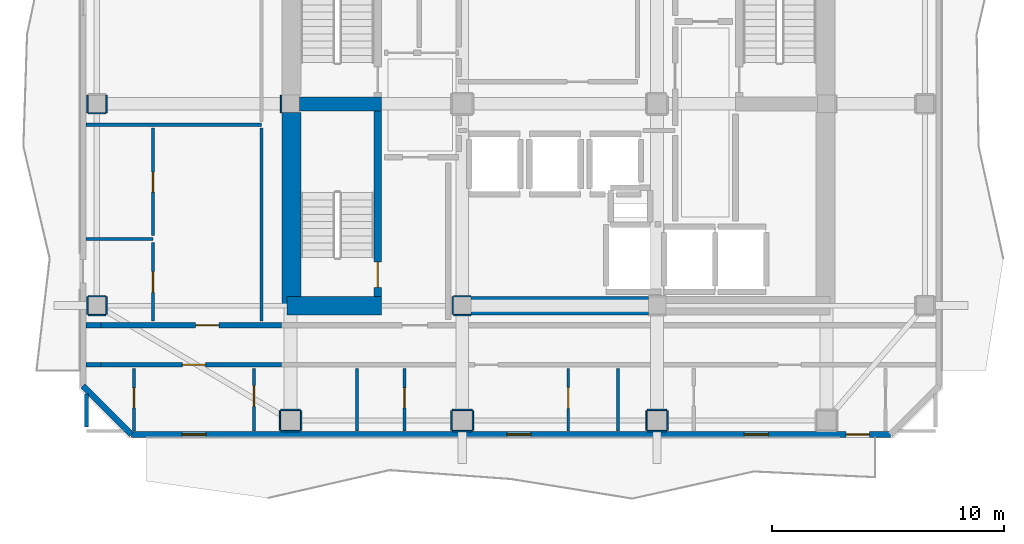
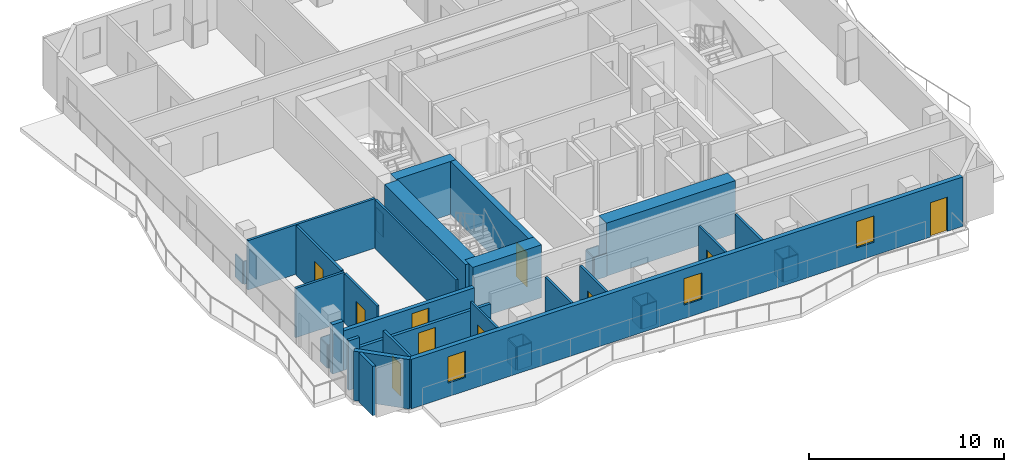
# One storey, part 2 of 10: 46 walls, 10 doors, 3 windows, 13 openings.
"""IFC4 building model written with IfcOpenShell, lengths in metres."""

from ifc_helpers import new_model, si_unit, direction, frame, frame_2d, origin, place, context, subcontext, project, spatial, rectangle, extrude, material, layer, layer_set, type_object, element, fill, save


model = new_model("IFC4")

# Units and contexts
model_context = context("Model", 3, precision=1e-05, world=origin(), true_north=direction((0.0, 1.0)))
body_context = subcontext(model_context, "Body", "Model", "MODEL_VIEW")
ifc_project = project(units=[si_unit("LENGTHUNIT", "METRE"), si_unit("AREAUNIT", "SQUARE_METRE"), si_unit("VOLUMEUNIT", "CUBIC_METRE"), si_unit("PLANEANGLEUNIT", "RADIAN"), si_unit("MASSUNIT", "GRAM", prefix="KILO")], contexts=[model_context])

# Site, building, storey
site_placement = place(None, origin())
site = spatial("IfcSite", under=ifc_project, at=site_placement, CompositionType="ELEMENT")
building_placement = place(site_placement, origin())
building = spatial("IfcBuilding", under=site, at=building_placement, Name="Solanera Arch Residences", CompositionType="ELEMENT")
storey_placement = place(building_placement, frame((0.0, 0.0, 265.56005859375)))
storey = spatial("IfcBuildingStorey", under=building, at=storey_placement, Name="L77", CompositionType="ELEMENT", Elevation=265.56005859375)

# Walls
ifc_material_1 = material(Name="Fire-Rated Gypsum Stud Partition", Category="gypsum")
ifc_layer_1 = layer(ifc_material_1, 0.06005859375)
ifc_layer_set_1 = layer_set([ifc_layer_1], Name="Fire-Rated Gypsum Stud Partition")
wall_type_1 = type_object("IfcWallType", Name="Column Acoustic Furring Wall 60", PredefinedType="PARTITIONING", material=ifc_layer_set_1)
for number, where, z_axis, x_axis, name in (
    (1, (20.425048828125, 21.593017578125, 0.0), (0.0, 0.0, 1.0), (1.0, 0.0, 0.0), "L77 Column Furring 1S"),
    (2, (20.425048828125, 22.406982421875, 0.0), (0.0, 0.0, 1.0), (1.0, 0.0, 0.0), "L77 Column Furring 1N"),
):
    element("IfcWall", number, at=place(storey_placement, frame(where, z_axis=z_axis, x_axis=x_axis)), inside=storey, type_object=wall_type_1, Name=name, PredefinedType="PARTITIONING", context=body_context, shape_type="SweptSolid", body=[
        extrude(rectangle(XDim=0.741943359375, YDim=0.06005859375, at=frame_2d((0.37109375, 0.0))), origin(), (0.0, 0.0, 1.0), 1.449951171875),
    ])
for number, where, z_axis, x_axis, name in (
    (3, (20.39306640625, 21.625, 0.0), (0.0, 0.0, 1.0), (0.0, 1.0, 0.0), "L77 Column Furring 1W"),
    (4, (12.992919921875, 30.324951171875, 0.0), (0.0, 0.0, 1.0), (0.0, 1.0, 0.0), "L77 Column Furring 5W"),
):
    element("IfcWall", number, at=place(storey_placement, frame(where, z_axis=z_axis, x_axis=x_axis)), inside=storey, type_object=wall_type_1, Name=name, PredefinedType="PARTITIONING", context=body_context, shape_type="SweptSolid", body=[
        extrude(rectangle(XDim=0.75, YDim=0.06005859375, at=frame_2d((0.375, 0.0))), origin(), (0.0, 0.0, 1.0), 1.449951171875),
    ])
for number, where, z_axis, x_axis, name in (
    (5, (12.97509765625, 16.593017578125, 0.0), (0.0, 0.0, 1.0), (1.0, 0.0, 0.0), "L77 Column Furring 9S"),
    (6, (12.97509765625, 17.507080078125, 0.0), (0.0, 0.0, 1.0), (1.0, 0.0, 0.0), "L77 Column Furring 9N"),
):
    element("IfcWall", number, at=place(storey_placement, frame(where, z_axis=z_axis, x_axis=x_axis)), inside=storey, type_object=wall_type_1, Name=name, PredefinedType="PARTITIONING", context=body_context, shape_type="SweptSolid", body=[
        extrude(rectangle(XDim=0.849853515625, YDim=0.06005859375, at=frame_2d((0.4248046875, 0.0))), origin(), (0.0, 0.0, 1.0), 1.449951171875),
    ])
for number, where, z_axis, x_axis, name in (
    (7, (12.943115234375, 16.625, 0.0), (0.0, 0.0, 1.0), (0.0, 1.0, 0.0), "L77 Column Furring 9W"),
    (8, (13.85693359375, 16.625, 0.0), (0.0, 0.0, 1.0), (0.0, 1.0, 0.0), "L77 Column Furring 9E"),
    (9, (20.375, 16.593017578125, 0.0), (0.0, 0.0, 1.0), (1.0, 0.0, 0.0), "L77 Column Furring 11S"),
    (10, (20.375, 17.507080078125, 0.0), (0.0, 0.0, 1.0), (1.0, 0.0, 0.0), "L77 Column Furring 11N"),
    (11, (20.343017578125, 16.625, 0.0), (0.0, 0.0, 1.0), (0.0, 1.0, 0.0), "L77 Column Furring 11W"),
    (12, (21.257080078125, 16.625, 0.0), (0.0, 0.0, 1.0), (0.0, 1.0, 0.0), "L77 Column Furring 11E"),
    (13, (28.77490234375, 16.593017578125, 0.0), (0.0, 0.0, 1.0), (1.0, 0.0, 0.0), "L77 Column Furring 13S"),
    (14, (28.77490234375, 17.507080078125, 0.0), (0.0, 0.0, 1.0), (1.0, 0.0, 0.0), "L77 Column Furring 13N"),
    (15, (28.742919921875, 16.625, 0.0), (0.0, 0.0, 1.0), (0.0, 1.0, 0.0), "L77 Column Furring 13W"),
    (16, (29.656982421875, 16.625, 0.0), (0.0, 0.0, 1.0), (0.0, 1.0, 0.0), "L77 Column Furring 13E"),
):
    element("IfcWall", number, at=place(storey_placement, frame(where, z_axis=z_axis, x_axis=x_axis)), inside=storey, type_object=wall_type_1, Name=name, PredefinedType="PARTITIONING", context=body_context, shape_type="SweptSolid", body=[
        extrude(rectangle(XDim=0.85009765625, YDim=0.06005859375, at=frame_2d((0.425048828125, 0.0))), origin(), (0.0, 0.0, 1.0), 1.449951171875),
    ])
for number, where, z_axis, x_axis, name in (
    (17, (4.675048828125, 21.593017578125, 0.0), (0.0, 0.0, 1.0), (1.0, 0.0, 0.0), "L77 Column Furring 17S"),
    (18, (4.675048828125, 22.406982421875, 0.0), (0.0, 0.0, 1.0), (1.0, 0.0, 0.0), "L77 Column Furring 17N"),
    (19, (4.64306640625, 21.625, 0.0), (0.0, 0.0, 1.0), (0.0, 1.0, 0.0), "L77 Column Furring 17W"),
    (20, (5.45703125, 21.625, 0.0), (0.0, 0.0, 1.0), (0.0, 1.0, 0.0), "L77 Column Furring 17E"),
    (21, (4.675048828125, 30.29296875, 0.0), (0.0, 0.0, 1.0), (1.0, 0.0, 0.0), "L77 Column Furring 19S"),
    (22, (4.64306640625, 30.324951171875, 0.0), (0.0, 0.0, 1.0), (0.0, 1.0, 0.0), "L77 Column Furring 19W"),
    (23, (5.45703125, 30.324951171875, 0.0), (0.0, 0.0, 1.0), (0.0, 1.0, 0.0), "L77 Column Furring 19E"),
):
    element("IfcWall", number, at=place(storey_placement, frame(where, z_axis=z_axis, x_axis=x_axis)), inside=storey, type_object=wall_type_1, Name=name, PredefinedType="PARTITIONING", context=body_context, shape_type="SweptSolid", body=[
        extrude(rectangle(XDim=0.75, YDim=0.06005859375, at=frame_2d((0.375, 0.0))), origin(), (0.0, 0.0, 1.0), 1.449951171875),
    ])

# Wall, opening, door
ifc_material_2 = material(Name="Concrete C40/50 (f'c = 45 MPa)", Category="concrete")
ifc_layer_2 = layer(ifc_material_2, 0.320068359375)
ifc_layer_set_2 = layer_set([ifc_layer_2], Name="Concrete C40/50 (f'c = 45 MPa)")
wall_type_2 = type_object("IfcWallType", Name="Core Shear Wall CW-320", PredefinedType="SHEAR", material=ifc_layer_set_2)
wall_1_placement = place(storey_placement, frame((17.159912109375, 22.39990234375, 0.0), z_axis=(0.0, 0.0, 1.0), x_axis=(0.0, 1.0, 0.0)))
wall_1 = element("IfcWall", 24, at=wall_1_placement, inside=storey, type_object=wall_type_2, Name="L77 Stair ST-T3 East Shear Wall", PredefinedType="SHEAR", context=body_context, shape_type="SweptSolid", body=[
    extrude(rectangle(XDim=8.0, YDim=0.320068359375, at=frame_2d((4.0, 0.0))), origin(), (0.0, 0.0, 1.0), 3.31982421875),
])
opening_1_placement = place(wall_1_placement, frame((0.389892578125, 0.0, 0.0)))
opening_1 = element("IfcOpeningElement", 25, at=opening_1_placement, cuts=wall_1, Name="Opening DF-01", PredefinedType="OPENING", context=body_context, shape_type="SweptSolid", body=[
    extrude(rectangle(XDim=1.10009765625, YDim=2.14990234375, at=frame_2d((0.550048828125, 1.074951171875))), frame((0.0, 0.169921875, 0.0), z_axis=(0.0, -1.0, 0.0), x_axis=(1.0, 0.0, 0.0)), (0.0, 0.0, 1.0), 0.3401),
])
ifc_material_3 = material(Name="Fire-Rated Architectural Hardwood", Category="wood")
door_type_1 = type_object("IfcDoorType", Name="Stair Exit Fire Door DF-01", OperationType="NOTDEFINED", PredefinedType="DOOR", material=ifc_material_3)
door_1_placement = place(opening_1_placement, origin())
door_1 = element("IfcDoor", 26, at=door_1_placement, inside=storey, type_object=door_type_1, Name="DR-L77-STAIR-ST-T3", OperationType="SINGLE_SWING_LEFT", OverallHeight=2.14990234375, OverallWidth=1.10009765625, PredefinedType="DOOR", context=body_context, shape_type="SweptSolid", body=[
    extrude(rectangle(XDim=1.10009765625, YDim=2.14990234375, at=frame_2d((0.550048828125, 1.074951171875))), frame((0.0, 0.02490234375, 0.0), z_axis=(0.0, -1.0, 0.0), x_axis=(1.0, 0.0, 0.0)), (0.0, 0.0, 1.0), 0.050048828125),
])
fill(opening_1, door_1)

# Walls
ifc_material_4 = material(Name="Concrete C40/50 (f'c = 45 MPa)", Category="concrete")
ifc_layer_3 = layer(ifc_material_4, 0.60009765625)
ifc_layer_set_3 = layer_set([ifc_layer_3], Name="Concrete C40/50 (f'c = 45 MPa)")
wall_type_3 = type_object("IfcWallType", Name="Core Shear Wall CW-600", PredefinedType="SHEAR", material=ifc_layer_set_3)
wall_2_placement = place(storey_placement, frame((13.780029296875, 30.699951171875, 0.0), z_axis=(0.0, 0.0, 1.0), x_axis=(1.0, 0.0, 0.0)))
element("IfcWall", 27, at=wall_2_placement, inside=storey, type_object=wall_type_3, Name="L77 West Stair Divider Shear Wall", PredefinedType="SHEAR", context=body_context, shape_type="SweptSolid", body=[
    extrude(rectangle(XDim=3.5400390625, YDim=0.60009765625, at=frame_2d((1.77001953125, 0.0))), origin(), (0.0, 0.0, 1.0), 3.31982421875),
])
ifc_material_5 = material(Name="Concrete C40/50 (f'c = 45 MPa)", Category="concrete")
ifc_layer_4 = layer(ifc_material_5, 0.800048828125)
ifc_layer_set_4 = layer_set([ifc_layer_4], Name="Concrete C40/50 (f'c = 45 MPa)")
wall_type_4 = type_object("IfcWallType", Name="Core Shear Wall CW-800", PredefinedType="SHEAR", material=ifc_layer_set_4)
wall_3_placement = place(storey_placement, frame((13.43994140625, 22.0, 0.0), z_axis=(0.0, 0.0, 1.0), x_axis=(0.0, 1.0, 0.0)))
element("IfcWall", 28, at=wall_3_placement, inside=storey, type_object=wall_type_4, Name="L77 West Core South Shear Wall", PredefinedType="SHEAR", context=body_context, shape_type="SweptSolid", body=[
    extrude(rectangle(XDim=8.320068359375, YDim=0.800048828125, at=frame_2d((4.16015625, 0.0))), origin(), (0.0, 0.0, 1.0), 3.31982421875),
])
wall_4_placement = place(storey_placement, frame((13.239990234375, 22.0, 0.0), z_axis=(0.0, 0.0, 1.0), x_axis=(1.0, 0.0, 0.0)))
element("IfcWall", 29, at=wall_4_placement, inside=storey, type_object=wall_type_4, Name="L77 South-West Core Shear Wall", PredefinedType="SHEAR", context=body_context, shape_type="SweptSolid", body=[
    extrude(rectangle(XDim=4.080078125, YDim=0.800048828125, at=frame_2d((2.0400390625, 0.0))), origin(), (0.0, 0.0, 1.0), 3.31982421875),
])
wall_5_placement = place(storey_placement, frame((21.179931640625, 22.0, 0.0), z_axis=(0.0, 0.0, 1.0), x_axis=(1.0, 0.0, 0.0)))
element("IfcWall", 30, at=wall_5_placement, inside=storey, type_object=wall_type_4, Name="L77 Central South Core Shear Wall", PredefinedType="SHEAR", context=body_context, shape_type="SweptSolid", body=[
    extrude(rectangle(XDim=7.64013671875, YDim=0.800048828125, at=frame_2d((3.820068359375, 0.0))), origin(), (0.0, 0.0, 1.0), 3.31982421875),
])
ifc_material_6 = material(Name="Autoclaved Aerated Concrete Blockwork", Category="masonry")
ifc_layer_5 = layer(ifc_material_6, 0.179931640625)
ifc_layer_set_5 = layer_set([ifc_layer_5], Name="Autoclaved Aerated Concrete Blockwork")
wall_type_5 = type_object("IfcWallType", Name="Corridor Fire Partition 180", PredefinedType="PARTITIONING", material=ifc_layer_set_5)
wall_6_placement = place(storey_placement, frame((4.5869140625, 19.449951171875, 0.0), z_axis=(0.0, 0.0, 1.0), x_axis=(1.0, 0.0, 0.0)))
element("IfcWall", 31, at=wall_6_placement, inside=storey, type_object=wall_type_5, Name="L77 Interior Partition H7 1", PredefinedType="PARTITIONING", context=body_context, shape_type="SweptSolid", body=[
    extrude(rectangle(XDim=0.64697265625, YDim=0.179931640625, at=frame_2d((0.323486328125, 0.0))), origin(), (0.0, 0.0, 1.0), 3.099853515625),
])

# Wall, opening, door
wall_7_placement = place(storey_placement, frame((5.23388671875, 19.449951171875, 0.0), z_axis=(0.0, 0.0, 1.0), x_axis=(1.0, 0.0, 0.0)))
wall_7 = element("IfcWall", 32, at=wall_7_placement, inside=storey, type_object=wall_type_5, Name="L77 Interior Partition H7 2", PredefinedType="PARTITIONING", context=body_context, shape_type="SweptSolid", body=[
    extrude(rectangle(XDim=7.778076171875, YDim=0.179931640625, at=frame_2d((3.88916015625, 0.0))), origin(), (0.0, 0.0, 1.0), 2.47705078125),
])
opening_2_placement = place(wall_7_placement, frame((3.5009765625, 0.0, 0.0)))
opening_2 = element("IfcOpeningElement", 33, at=opening_2_placement, cuts=wall_7, Name="Opening DI-01", PredefinedType="OPENING", context=body_context, shape_type="SweptSolid", body=[
    extrude(rectangle(XDim=1.0, YDim=2.14990234375, at=frame_2d((0.5, 1.074951171875))), frame((0.0, 0.10009765625, 0.0), z_axis=(0.0, -1.0, 0.0), x_axis=(1.0, 0.0, 0.0)), (0.0, 0.0, 1.0), 0.1999),
])
ifc_material_7 = material(Name="Fire-Rated Architectural Hardwood", Category="wood")
door_type_2 = type_object("IfcDoorType", Name="Unit Entrance Fire Door DI-01", OperationType="NOTDEFINED", PredefinedType="DOOR", material=ifc_material_7)
door_2_placement = place(opening_2_placement, origin())
door_2 = element("IfcDoor", 34, at=door_2_placement, inside=storey, type_object=door_type_2, Name="DR-L77-IN-014", OperationType="SINGLE_SWING_RIGHT", OverallHeight=2.14990234375, OverallWidth=1.0, PredefinedType="DOOR", context=body_context, shape_type="SweptSolid", body=[
    extrude(rectangle(XDim=1.0, YDim=2.14990234375, at=frame_2d((0.5, 1.074951171875))), frame((0.0, 0.02490234375, 0.0), z_axis=(0.0, -1.0, 0.0), x_axis=(1.0, 0.0, 0.0)), (0.0, 0.0, 1.0), 0.050048828125),
])
fill(opening_2, door_2)

# Wall
wall_8_placement = place(storey_placement, frame((4.60009765625, 16.76806640625, 0.0), z_axis=(0.0, 0.0, 1.0), x_axis=(0.0, 1.0, 0.0)))
element("IfcWall", 35, at=wall_8_placement, inside=storey, type_object=wall_type_5, Name="L77 Interior Partition V7 1", PredefinedType="PARTITIONING", context=body_context, shape_type="SweptSolid", body=[
    extrude(rectangle(XDim=1.4208984375, YDim=0.179931640625, at=frame_2d((0.71044921875, 0.0))), origin(), (0.0, 0.0, 1.0), 3.099853515625),
])

# Wall, openings, door, windows
ifc_material_8 = material(Name="Precast Concrete C35/45", Category="concrete")
ifc_layer_6 = layer(ifc_material_8, 0.260009765625)
ifc_layer_set_6 = layer_set([ifc_layer_6], Name="Precast Concrete C35/45")
wall_type_6 = type_object("IfcWallType", Name="Exterior Wall Precast Masonry-Frame 260", PredefinedType="STANDARD", material=ifc_layer_set_6)
wall_9_placement = place(storey_placement, frame((39.2548828125, 16.445068359375, 0.0), z_axis=(0.0, 0.0, 1.0), x_axis=(-1.0, 0.0, 0.0)))
wall_9 = element("IfcWall", 36, at=wall_9_placement, inside=storey, type_object=wall_type_6, Name="L77 Tower Exterior Precast Masonry-Frame Wall S", PredefinedType="STANDARD", context=body_context, shape_type="SweptSolid", body=[
    extrude(rectangle(XDim=32.7099609375, YDim=0.260009765625, at=frame_2d((16.35498046875, 0.0))), origin(), (0.0, 0.0, 1.0), 3.099853515625),
])
opening_3_placement = place(wall_9_placement, frame((0.906982421875, 0.0, 0.0)))
opening_3 = element("IfcOpeningElement", 37, at=opening_3_placement, cuts=wall_9, Name="Opening DB-01", PredefinedType="OPENING", context=body_context, shape_type="SweptSolid", body=[
    extrude(rectangle(XDim=1.0, YDim=2.14990234375, at=frame_2d((0.5, 1.074951171875))), frame((0.0, 0.139892578125, 0.0), z_axis=(0.0, -1.0, 0.0), x_axis=(1.0, 0.0, 0.0)), (0.0, 0.0, 1.0), 0.28),
])
opening_4_placement = place(wall_9_placement, frame((29.4951171875, 0.0, 0.85009765625)))
opening_4 = element("IfcOpeningElement", 38, at=opening_4_placement, cuts=wall_9, Name="Opening W-07", PredefinedType="OPENING", context=body_context, shape_type="SweptSolid", body=[
    extrude(rectangle(XDim=1.050048828125, YDim=1.64990234375, at=frame_2d((0.52490234375, 0.824951171875))), frame((0.0, 0.139892578125, 0.0), z_axis=(0.0, -1.0, 0.0), x_axis=(1.0, 0.0, 0.0)), (0.0, 0.0, 1.0), 0.28),
])
opening_5_placement = place(wall_9_placement, frame((15.48193359375, 0.0, 0.85009765625)))
opening_5 = element("IfcOpeningElement", 39, at=opening_5_placement, cuts=wall_9, Name="Opening W-07", PredefinedType="OPENING", context=body_context, shape_type="SweptSolid", body=[
    extrude(rectangle(XDim=1.050048828125, YDim=1.64990234375, at=frame_2d((0.52490234375, 0.824951171875))), frame((0.0, 0.139892578125, 0.0), z_axis=(0.0, -1.0, 0.0), x_axis=(1.0, 0.0, 0.0)), (0.0, 0.0, 1.0), 0.28),
])
opening_6_placement = place(wall_9_placement, frame((5.2529296875, 0.0, 0.85009765625)))
opening_6 = element("IfcOpeningElement", 40, at=opening_6_placement, cuts=wall_9, Name="Opening W-07", PredefinedType="OPENING", context=body_context, shape_type="SweptSolid", body=[
    extrude(rectangle(XDim=1.050048828125, YDim=1.64990234375, at=frame_2d((0.52490234375, 0.824951171875))), frame((0.0, 0.139892578125, 0.0), z_axis=(0.0, -1.0, 0.0), x_axis=(1.0, 0.0, 0.0)), (0.0, 0.0, 1.0), 0.28),
])
ifc_material_9 = material(Name="Anodised Aluminium Alloy 6063-T6", Category="aluminium")
door_type_3 = type_object("IfcDoorType", Name="Glazed Balcony Swing Door DB-01", OperationType="NOTDEFINED", PredefinedType="DOOR", material=ifc_material_9)
door_3_placement = place(opening_3_placement, origin())
door_3 = element("IfcDoor", 41, at=door_3_placement, inside=storey, type_object=door_type_3, Name="DR-L77-OUT-01", OperationType="SINGLE_SWING_LEFT", OverallHeight=2.14990234375, OverallWidth=1.0, PredefinedType="DOOR", context=body_context, shape_type="SweptSolid", body=[
    extrude(rectangle(XDim=1.0, YDim=2.14990234375, at=frame_2d((0.5, 1.074951171875))), frame((0.0, 0.02490234375, 0.0), z_axis=(0.0, -1.0, 0.0), x_axis=(1.0, 0.0, 0.0)), (0.0, 0.0, 1.0), 0.050048828125),
])
fill(opening_3, door_3)
ifc_material_10 = material(Name="Double Glazed Low-E Laminated Glass", Category="glass")
window_type = type_object("IfcWindowType", Name="Punched Window W-07", PartitioningType="SINGLE_PANEL", PredefinedType="WINDOW", material=ifc_material_10)
window_1_placement = place(opening_4_placement, origin())
window_1 = element("IfcWindow", 42, at=window_1_placement, inside=storey, type_object=window_type, Name="L77 7701-LIV Punched Window", OverallHeight=1.64990234375, OverallWidth=1.050048828125, PartitioningType="SINGLE_PANEL", PredefinedType="WINDOW", context=body_context, shape_type="SweptSolid", body=[
    extrude(rectangle(XDim=1.050048828125, YDim=1.64990234375, at=frame_2d((0.52490234375, 0.824951171875))), frame((0.0, 0.030029296875, 0.0), z_axis=(0.0, -1.0, 0.0), x_axis=(1.0, 0.0, 0.0)), (0.0, 0.0, 1.0), 0.06005859375),
])
fill(opening_4, window_1)
window_2_placement = place(opening_5_placement, origin())
window_2 = element("IfcWindow", 43, at=window_2_placement, inside=storey, type_object=window_type, Name="L77 7702-LIV Punched Window", OverallHeight=1.64990234375, OverallWidth=1.050048828125, PartitioningType="SINGLE_PANEL", PredefinedType="WINDOW", context=body_context, shape_type="SweptSolid", body=[
    extrude(rectangle(XDim=1.050048828125, YDim=1.64990234375, at=frame_2d((0.52490234375, 0.824951171875))), frame((0.0, 0.030029296875, 0.0), z_axis=(0.0, -1.0, 0.0), x_axis=(1.0, 0.0, 0.0)), (0.0, 0.0, 1.0), 0.06005859375),
])
fill(opening_5, window_2)
window_3_placement = place(opening_6_placement, origin())
window_3 = element("IfcWindow", 44, at=window_3_placement, inside=storey, type_object=window_type, Name="L77 7703-LIV Punched Window", OverallHeight=1.64990234375, OverallWidth=1.050048828125, PartitioningType="SINGLE_PANEL", PredefinedType="WINDOW", context=body_context, shape_type="SweptSolid", body=[
    extrude(rectangle(XDim=1.050048828125, YDim=1.64990234375, at=frame_2d((0.52490234375, 0.824951171875))), frame((0.0, 0.030029296875, 0.0), z_axis=(0.0, -1.0, 0.0), x_axis=(1.0, 0.0, 0.0)), (0.0, 0.0, 1.0), 0.06005859375),
])
fill(opening_6, window_3)

# Walls
wall_10_placement = place(storey_placement, frame((6.544921875, 16.445068359375, 0.0), z_axis=(0.0, 0.0, 1.0), x_axis=(-0.707106781187, 0.707106781187, 0.0)))
element("IfcWall", 45, at=wall_10_placement, inside=storey, type_object=wall_type_6, Name="L77 Tower Exterior Precast Masonry-Frame Wall CH7", PredefinedType="STANDARD", context=body_context, shape_type="SweptSolid", body=[
    extrude(rectangle(XDim=2.9697265625, YDim=0.260009765625, at=frame_2d((1.48486328125, 0.0))), origin(), (0.0, 0.0, 1.0), 3.099853515625),
])
ifc_material_11 = material(Name="Autoclaved Aerated Concrete Blockwork", Category="masonry")
ifc_layer_7 = layer(ifc_material_11, 0.239990234375)
ifc_layer_set_7 = layer_set([ifc_layer_7], Name="Autoclaved Aerated Concrete Blockwork")
wall_type_7 = type_object("IfcWallType", Name="Shaft Wall Fire-Rated 240", PredefinedType="PARTITIONING", material=ifc_layer_set_7)
wall_11_placement = place(storey_placement, frame((4.5869140625, 21.14990234375, 0.0), z_axis=(0.0, 0.0, 1.0), x_axis=(1.0, 0.0, 0.0)))
element("IfcWall", 46, at=wall_11_placement, inside=storey, type_object=wall_type_7, Name="L77 Interior Partition H1 1", PredefinedType="PARTITIONING", context=body_context, shape_type="SweptSolid", body=[
    extrude(rectangle(XDim=0.64697265625, YDim=0.239990234375, at=frame_2d((0.323486328125, 0.0))), origin(), (0.0, 0.0, 1.0), 3.099853515625),
])

# Wall, opening, door
wall_12_placement = place(storey_placement, frame((5.23388671875, 21.14990234375, 0.0), z_axis=(0.0, 0.0, 1.0), x_axis=(1.0, 0.0, 0.0)))
wall_12 = element("IfcWall", 47, at=wall_12_placement, inside=storey, type_object=wall_type_7, Name="L77 Interior Partition H1 2", PredefinedType="PARTITIONING", context=body_context, shape_type="SweptSolid", body=[
    extrude(rectangle(XDim=7.778076171875, YDim=0.239990234375, at=frame_2d((3.88916015625, 0.0))), origin(), (0.0, 0.0, 1.0), 2.47705078125),
])
opening_7_placement = place(wall_12_placement, frame((4.074951171875, 0.0, 0.0)))
opening_7 = element("IfcOpeningElement", 48, at=opening_7_placement, cuts=wall_12, Name="Opening DI-01", PredefinedType="OPENING", context=body_context, shape_type="SweptSolid", body=[
    extrude(rectangle(XDim=1.0, YDim=2.14990234375, at=frame_2d((0.5, 1.074951171875))), frame((0.0, 0.1298828125, 0.0), z_axis=(0.0, -1.0, 0.0), x_axis=(1.0, 0.0, 0.0)), (0.0, 0.0, 1.0), 0.26),
])
door_4_placement = place(opening_7_placement, origin())
door_4 = element("IfcDoor", 49, at=door_4_placement, inside=storey, type_object=door_type_2, Name="DR-L77-IN-031", OperationType="SINGLE_SWING_LEFT", OverallHeight=2.14990234375, OverallWidth=1.0, PredefinedType="DOOR", context=body_context, shape_type="SweptSolid", body=[
    extrude(rectangle(XDim=1.0, YDim=2.14990234375, at=frame_2d((0.5, 1.074951171875))), frame((0.0, 0.02490234375, 0.0), z_axis=(0.0, -1.0, 0.0), x_axis=(1.0, 0.0, 0.0)), (0.0, 0.0, 1.0), 0.050048828125),
])
fill(opening_7, door_4)

ifc_material_12 = material(Name="Fire-Rated Gypsum Stud Partition", Category="gypsum")
ifc_layer_8 = layer(ifc_material_12, 0.1201171875)
ifc_layer_set_8 = layer_set([ifc_layer_8], Name="Fire-Rated Gypsum Stud Partition")
wall_type_8 = type_object("IfcWallType", Name="Unit Drywall Partition 120", PredefinedType="PARTITIONING", material=ifc_layer_set_8)
wall_13_placement = place(storey_placement, frame((11.820068359375, 16.5869140625, 0.0), z_axis=(0.0, 0.0, 1.0), x_axis=(0.0, 1.0, 0.0)))
wall_13 = element("IfcWall", 50, at=wall_13_placement, inside=storey, type_object=wall_type_8, Name="L77 Interior Partition V20", PredefinedType="PARTITIONING", context=body_context, shape_type="SweptSolid", body=[
    extrude(rectangle(XDim=2.705078125, YDim=0.1201171875, at=frame_2d((1.3525390625, 0.0))), origin(), (0.0, 0.0, 1.0), 3.099853515625),
])
opening_8_placement = place(wall_13_placement, frame((1.068115234375, 0.0, 0.0)))
opening_8 = element("IfcOpeningElement", 51, at=opening_8_placement, cuts=wall_13, Name="Opening DI-02", PredefinedType="OPENING", context=body_context, shape_type="SweptSolid", body=[
    extrude(rectangle(XDim=0.89990234375, YDim=2.10009765625, at=frame_2d((0.449951171875, 1.050048828125))), frame((0.0, 0.070068359375, 0.0), z_axis=(0.0, -1.0, 0.0), x_axis=(1.0, 0.0, 0.0)), (0.0, 0.0, 1.0), 0.1401),
])
ifc_material_13 = material(Name="Fire-Rated Architectural Hardwood", Category="wood")
door_type_4 = type_object("IfcDoorType", Name="Suite Room Swing Door DI-02", OperationType="NOTDEFINED", PredefinedType="DOOR", material=ifc_material_13)
door_5_placement = place(opening_8_placement, origin())
door_5 = element("IfcDoor", 52, at=door_5_placement, inside=storey, type_object=door_type_4, Name="DR-L77-IN-016", OperationType="SINGLE_SWING_RIGHT", OverallHeight=2.10009765625, OverallWidth=0.89990234375, PredefinedType="DOOR", context=body_context, shape_type="SweptSolid", body=[
    extrude(rectangle(XDim=0.89990234375, YDim=2.10009765625, at=frame_2d((0.449951171875, 1.050048828125))), frame((0.0, 0.02490234375, 0.0), z_axis=(0.0, -1.0, 0.0), x_axis=(1.0, 0.0, 0.0)), (0.0, 0.0, 1.0), 0.050048828125),
])
fill(opening_8, door_5)

# Wall
wall_14_placement = place(storey_placement, frame((12.14990234375, 21.337890625, 0.0), z_axis=(0.0, 0.0, 1.0), x_axis=(0.0, 1.0, 0.0)))
element("IfcWall", 53, at=wall_14_placement, inside=storey, type_object=wall_type_8, Name="L77 Interior Partition V21 1", PredefinedType="PARTITIONING", context=body_context, shape_type="SweptSolid", body=[
    extrude(rectangle(XDim=8.32421875, YDim=0.1201171875, at=frame_2d((4.162109375, 0.0))), origin(), (0.0, 0.0, 1.0), 3.099853515625),
])

# Wall, opening, door
wall_15_placement = place(storey_placement, frame((25.3701171875, 16.5869140625, 0.0), z_axis=(0.0, 0.0, 1.0), x_axis=(0.0, 1.0, 0.0)))
wall_15 = element("IfcWall", 54, at=wall_15_placement, inside=storey, type_object=wall_type_8, Name="L77 Interior Partition V24", PredefinedType="PARTITIONING", context=body_context, shape_type="SweptSolid", body=[
    extrude(rectangle(XDim=2.705078125, YDim=0.1201171875, at=frame_2d((1.3525390625, 0.0))), origin(), (0.0, 0.0, 1.0), 3.099853515625),
])
opening_9_placement = place(wall_15_placement, frame((0.988037109375, 0.0, 0.0)))
opening_9 = element("IfcOpeningElement", 55, at=opening_9_placement, cuts=wall_15, Name="Opening DI-02", PredefinedType="OPENING", context=body_context, shape_type="SweptSolid", body=[
    extrude(rectangle(XDim=0.89990234375, YDim=2.10009765625, at=frame_2d((0.449951171875, 1.050048828125))), frame((0.0, 0.070068359375, 0.0), z_axis=(0.0, -1.0, 0.0), x_axis=(1.0, 0.0, 0.0)), (0.0, 0.0, 1.0), 0.1401),
])
door_6_placement = place(opening_9_placement, origin())
door_6 = element("IfcDoor", 56, at=door_6_placement, inside=storey, type_object=door_type_4, Name="DR-L77-IN-019", OperationType="SINGLE_SWING_LEFT", OverallHeight=2.10009765625, OverallWidth=0.89990234375, PredefinedType="DOOR", context=body_context, shape_type="SweptSolid", body=[
    extrude(rectangle(XDim=0.89990234375, YDim=2.10009765625, at=frame_2d((0.449951171875, 1.050048828125))), frame((0.0, 0.02490234375, 0.0), z_axis=(0.0, -1.0, 0.0), x_axis=(1.0, 0.0, 0.0)), (0.0, 0.0, 1.0), 0.050048828125),
])
fill(opening_9, door_6)

# Walls
ifc_material_14 = material(Name="Autoclaved Aerated Concrete Blockwork", Category="masonry")
ifc_layer_9 = layer(ifc_material_14, 0.139892578125)
ifc_layer_set_9 = layer_set([ifc_layer_9], Name="Autoclaved Aerated Concrete Blockwork")
wall_type_9 = type_object("IfcWallType", Name="Wet-Room Partition 140", PredefinedType="PARTITIONING", material=ifc_layer_set_9)
wall_16_placement = place(storey_placement, frame((4.5869140625, 24.868896484375, 0.0), z_axis=(0.0, 0.0, 1.0), x_axis=(1.0, 0.0, 0.0)))
element("IfcWall", 57, at=wall_16_placement, inside=storey, type_object=wall_type_9, Name="L77 Interior Partition H14", PredefinedType="PARTITIONING", context=body_context, shape_type="SweptSolid", body=[
    extrude(rectangle(XDim=2.882080078125, YDim=0.139892578125, at=frame_2d((1.44091796875, 0.0))), origin(), (0.0, 0.0, 1.0), 3.099853515625),
])
wall_17_placement = place(storey_placement, frame((4.5869140625, 29.800048828125, 0.0), z_axis=(0.0, 0.0, 1.0), x_axis=(1.0, 0.0, 0.0)))
element("IfcWall", 58, at=wall_17_placement, inside=storey, type_object=wall_type_9, Name="L77 Interior Partition H15", PredefinedType="PARTITIONING", context=body_context, shape_type="SweptSolid", body=[
    extrude(rectangle(XDim=7.56298828125, YDim=0.139892578125, at=frame_2d((3.781494140625, 0.0))), origin(), (0.0, 0.0, 1.0), 3.099853515625),
])

# Wall, opening, door
wall_18_placement = place(storey_placement, frame((6.64990234375, 16.5869140625, 0.0), z_axis=(0.0, 0.0, 1.0), x_axis=(0.0, 1.0, 0.0)))
wall_18 = element("IfcWall", 59, at=wall_18_placement, inside=storey, type_object=wall_type_9, Name="L77 Interior Partition V11", PredefinedType="PARTITIONING", context=body_context, shape_type="SweptSolid", body=[
    extrude(rectangle(XDim=2.695068359375, YDim=0.139892578125, at=frame_2d((1.34765625, 0.0))), origin(), (0.0, 0.0, 1.0), 3.099853515625),
])
opening_10_placement = place(wall_18_placement, frame((1.008056640625, 0.0, 0.0)))
opening_10 = element("IfcOpeningElement", 60, at=opening_10_placement, cuts=wall_18, Name="Opening DI-05", PredefinedType="OPENING", context=body_context, shape_type="SweptSolid", body=[
    extrude(rectangle(XDim=0.860107421875, YDim=2.02001953125, at=frame_2d((0.43017578125, 1.010009765625))), frame((0.0, 0.079833984375, 0.0), z_axis=(0.0, -1.0, 0.0), x_axis=(1.0, 0.0, 0.0)), (0.0, 0.0, 1.0), 0.1599),
])
ifc_material_15 = material(Name="Fire-Rated Architectural Hardwood", Category="wood")
door_type_5 = type_object("IfcDoorType", Name="Bathroom Swing Door DI-05", OperationType="NOTDEFINED", PredefinedType="DOOR", material=ifc_material_15)
door_7_placement = place(opening_10_placement, origin())
door_7 = element("IfcDoor", 61, at=door_7_placement, inside=storey, type_object=door_type_5, Name="DR-L77-IN-015", OperationType="SINGLE_SWING_LEFT", OverallHeight=2.02001953125, OverallWidth=0.860107421875, PredefinedType="DOOR", context=body_context, shape_type="SweptSolid", body=[
    extrude(rectangle(XDim=0.860107421875, YDim=2.02001953125, at=frame_2d((0.43017578125, 1.010009765625))), frame((0.0, 0.02490234375, 0.0), z_axis=(0.0, -1.0, 0.0), x_axis=(1.0, 0.0, 0.0)), (0.0, 0.0, 1.0), 0.050048828125),
])
fill(opening_10, door_7)

wall_19_placement = place(storey_placement, frame((7.468994140625, 21.347900390625, 0.0), z_axis=(0.0, 0.0, 1.0), x_axis=(0.0, 1.0, 0.0)))
wall_19 = element("IfcWall", 62, at=wall_19_placement, inside=storey, type_object=wall_type_9, Name="L77 Interior Partition V12 1", PredefinedType="PARTITIONING", context=body_context, shape_type="SweptSolid", body=[
    extrude(rectangle(XDim=3.373046875, YDim=0.139892578125, at=frame_2d((1.6865234375, 0.0))), origin(), (0.0, 0.0, 1.0), 3.099853515625),
])
opening_11_placement = place(wall_19_placement, frame((1.22412109375, 0.0, 0.0)))
opening_11 = element("IfcOpeningElement", 63, at=opening_11_placement, cuts=wall_19, Name="Opening DI-02", PredefinedType="OPENING", context=body_context, shape_type="SweptSolid", body=[
    extrude(rectangle(XDim=0.89990234375, YDim=2.10009765625, at=frame_2d((0.449951171875, 1.050048828125))), frame((0.0, 0.079833984375, 0.0), z_axis=(0.0, -1.0, 0.0), x_axis=(1.0, 0.0, 0.0)), (0.0, 0.0, 1.0), 0.1599),
])
door_8_placement = place(opening_11_placement, origin())
door_8 = element("IfcDoor", 64, at=door_8_placement, inside=storey, type_object=door_type_4, Name="DR-L77-IN-032", OperationType="SINGLE_SWING_RIGHT", OverallHeight=2.10009765625, OverallWidth=0.89990234375, PredefinedType="DOOR", context=body_context, shape_type="SweptSolid", body=[
    extrude(rectangle(XDim=0.89990234375, YDim=2.10009765625, at=frame_2d((0.449951171875, 1.050048828125))), frame((0.0, 0.02490234375, 0.0), z_axis=(0.0, -1.0, 0.0), x_axis=(1.0, 0.0, 0.0)), (0.0, 0.0, 1.0), 0.050048828125),
])
fill(opening_11, door_8)

wall_20_placement = place(storey_placement, frame((7.468994140625, 25.01708984375, 0.0), z_axis=(0.0, 0.0, 1.0), x_axis=(0.0, 1.0, 0.0)))
wall_20 = element("IfcWall", 65, at=wall_20_placement, inside=storey, type_object=wall_type_9, Name="L77 Interior Partition V12 2", PredefinedType="PARTITIONING", context=body_context, shape_type="SweptSolid", body=[
    extrude(rectangle(XDim=4.635009765625, YDim=0.139892578125, at=frame_2d((2.3173828125, 0.0))), origin(), (0.0, 0.0, 1.0), 3.099853515625),
])
opening_12_placement = place(wall_20_placement, frame((1.875, 0.0, 0.0)))
opening_12 = element("IfcOpeningElement", 66, at=opening_12_placement, cuts=wall_20, Name="Opening DI-05", PredefinedType="OPENING", context=body_context, shape_type="SweptSolid", body=[
    extrude(rectangle(XDim=0.860107421875, YDim=2.02001953125, at=frame_2d((0.43017578125, 1.010009765625))), frame((0.0, 0.079833984375, 0.0), z_axis=(0.0, -1.0, 0.0), x_axis=(1.0, 0.0, 0.0)), (0.0, 0.0, 1.0), 0.1599),
])
door_9_placement = place(opening_12_placement, origin())
door_9 = element("IfcDoor", 67, at=door_9_placement, inside=storey, type_object=door_type_5, Name="DR-L77-IN-033", OperationType="SINGLE_SWING_LEFT", OverallHeight=2.02001953125, OverallWidth=0.860107421875, PredefinedType="DOOR", context=body_context, shape_type="SweptSolid", body=[
    extrude(rectangle(XDim=0.860107421875, YDim=2.02001953125, at=frame_2d((0.43017578125, 1.010009765625))), frame((0.0, 0.02490234375, 0.0), z_axis=(0.0, -1.0, 0.0), x_axis=(1.0, 0.0, 0.0)), (0.0, 0.0, 1.0), 0.050048828125),
])
fill(opening_12, door_9)

# Wall
wall_21_placement = place(storey_placement, frame((16.260986328125, 16.5869140625, 0.0), z_axis=(0.0, 0.0, 1.0), x_axis=(0.0, 1.0, 0.0)))
element("IfcWall", 68, at=wall_21_placement, inside=storey, type_object=wall_type_9, Name="L77 Interior Partition V14", PredefinedType="PARTITIONING", context=body_context, shape_type="SweptSolid", body=[
    extrude(rectangle(XDim=2.695068359375, YDim=0.139892578125, at=frame_2d((1.34765625, 0.0))), origin(), (0.0, 0.0, 1.0), 3.099853515625),
])

# Wall, opening, door
wall_22_placement = place(storey_placement, frame((18.31103515625, 16.5869140625, 0.0), z_axis=(0.0, 0.0, 1.0), x_axis=(0.0, 1.0, 0.0)))
wall_22 = element("IfcWall", 69, at=wall_22_placement, inside=storey, type_object=wall_type_9, Name="L77 Interior Partition V15", PredefinedType="PARTITIONING", context=body_context, shape_type="SweptSolid", body=[
    extrude(rectangle(XDim=2.695068359375, YDim=0.139892578125, at=frame_2d((1.34765625, 0.0))), origin(), (0.0, 0.0, 1.0), 3.099853515625),
])
opening_13_placement = place(wall_22_placement, frame((1.008056640625, 0.0, 0.0)))
opening_13 = element("IfcOpeningElement", 70, at=opening_13_placement, cuts=wall_22, Name="Opening DI-05", PredefinedType="OPENING", context=body_context, shape_type="SweptSolid", body=[
    extrude(rectangle(XDim=0.860107421875, YDim=2.02001953125, at=frame_2d((0.43017578125, 1.010009765625))), frame((0.0, 0.079833984375, 0.0), z_axis=(0.0, -1.0, 0.0), x_axis=(1.0, 0.0, 0.0)), (0.0, 0.0, 1.0), 0.1599),
])
door_10_placement = place(opening_13_placement, origin())
door_10 = element("IfcDoor", 71, at=door_10_placement, inside=storey, type_object=door_type_5, Name="DR-L77-IN-018", OperationType="SINGLE_SWING_RIGHT", OverallHeight=2.02001953125, OverallWidth=0.860107421875, PredefinedType="DOOR", context=body_context, shape_type="SweptSolid", body=[
    extrude(rectangle(XDim=0.860107421875, YDim=2.02001953125, at=frame_2d((0.43017578125, 1.010009765625))), frame((0.0, 0.02490234375, 0.0), z_axis=(0.0, -1.0, 0.0), x_axis=(1.0, 0.0, 0.0)), (0.0, 0.0, 1.0), 0.050048828125),
])
fill(opening_13, door_10)

# Wall
wall_23_placement = place(storey_placement, frame((27.52001953125, 16.5869140625, 0.0), z_axis=(0.0, 0.0, 1.0), x_axis=(0.0, 1.0, 0.0)))
element("IfcWall", 72, at=wall_23_placement, inside=storey, type_object=wall_type_9, Name="L77 Interior Partition V17", PredefinedType="PARTITIONING", context=body_context, shape_type="SweptSolid", body=[
    extrude(rectangle(XDim=2.695068359375, YDim=0.139892578125, at=frame_2d((1.34765625, 0.0))), origin(), (0.0, 0.0, 1.0), 3.099853515625),
])

save(model, "model.ifc")
